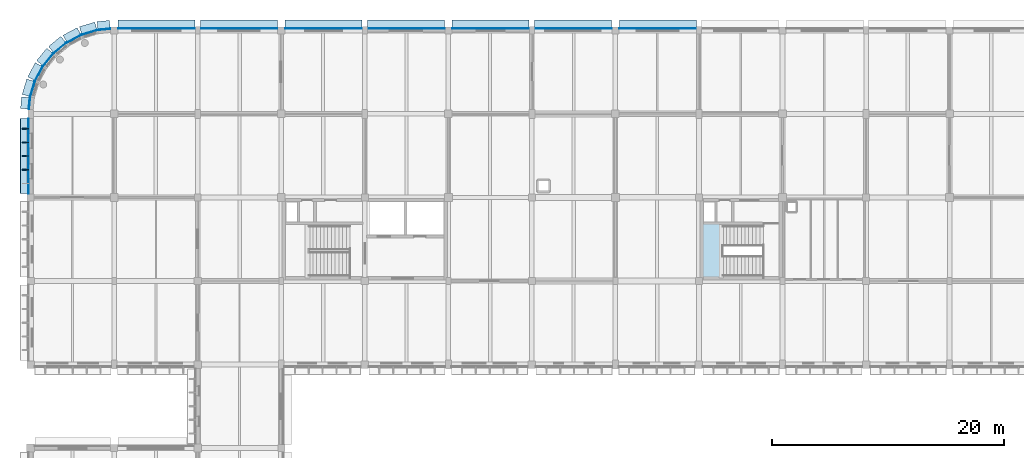
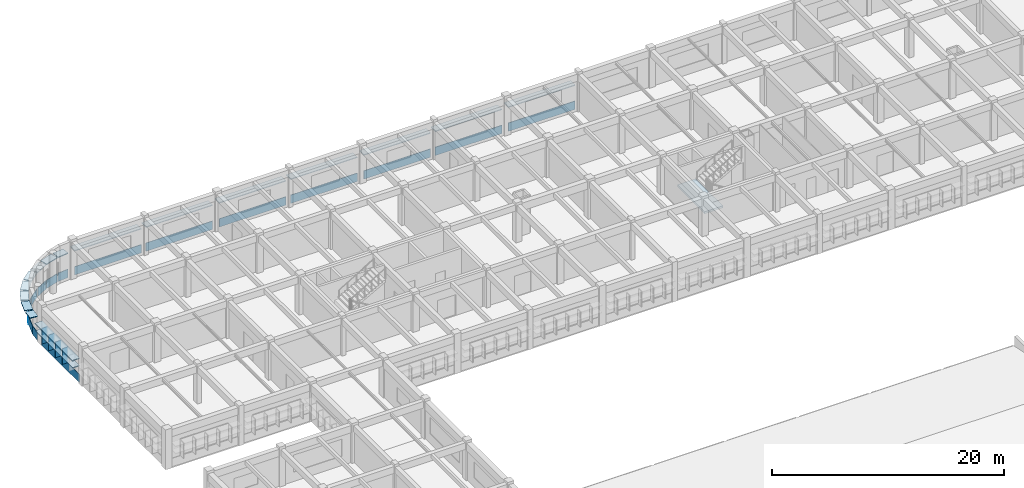
# One storey, part 74 of 103: 37 plates, 1 slab, 1 element without a shape of its own.
"""IFC4 building model written with IfcOpenShell, lengths in metres."""

from ifc_helpers import new_model, si_unit, direction, frame, origin, origin_2d, place, context, subcontext, project, spatial, polyline, rectangle, outline, extrude, material, layer, layer_set, type_object, element, aggregate, save


model = new_model("IFC4")

# Units and contexts
model_context = context("Model", 3, precision=1e-05, world=origin(), true_north=direction((0.0, 1.0)))
body_context = subcontext(model_context, "Body", "Model", "MODEL_VIEW")
ifc_project = project(units=[si_unit("LENGTHUNIT", "METRE"), si_unit("AREAUNIT", "SQUARE_METRE"), si_unit("VOLUMEUNIT", "CUBIC_METRE"), si_unit("PLANEANGLEUNIT", "RADIAN"), si_unit("MASSUNIT", "GRAM", prefix="KILO")], contexts=[model_context])

# Site, building, storey
site_placement = place(None, origin())
site = spatial("IfcSite", under=ifc_project, at=site_placement, CompositionType="ELEMENT")
building_placement = place(site_placement, origin())
building = spatial("IfcBuilding", under=site, at=building_placement, Name="Thalmaran Polytechnic", CompositionType="ELEMENT")
storey_placement = place(building_placement, frame((0.0, 0.0, 14.39990234375)))
storey = spatial("IfcBuildingStorey", under=building, at=storey_placement, Name="L03", CompositionType="ELEMENT", Elevation=14.39990234375)

# Plates
ifc_material_1 = material(Name="Anodised aluminium spandrel band", Category="aluminium")
ifc_layer_1 = layer(ifc_material_1, 0.054931640625, Name="Anodised aluminium spandrel band")
ifc_layer_set_1 = layer_set([ifc_layer_1], Name="Anodised aluminium spandrel band")
plate_type_1 = type_object("IfcPlateType", Name="PT-BD01", PredefinedType="SHEET", material=ifc_layer_set_1)
plate_1_placement = place(storey_placement, frame((-0.195068359375, 111.5625, 0.020263671875), z_axis=(0.0, 0.0, 1.0), x_axis=(0.0, 1.0, 0.0)))
element("IfcPlate", 1, at=plate_1_placement, inside=storey, type_object=plate_type_1, Name="Streamline Horizontal Spandrel Band L03-048", PredefinedType="SHEET", context=body_context, shape_type="SweptSolid", body=[
    extrude(rectangle(XDim=6.485107421875, YDim=0.054931640625, at=origin_2d()), origin(), (0.0, 0.0, 1.0), 0.8798828125),
])
plate_2_placement = place(storey_placement, frame((-0.1064453125, 116.108154296875, 0.020263671875), z_axis=(0.0, 0.0, 1.0), x_axis=(0.09801714033, 0.995184726672, 0.0)))
element("IfcPlate", 2, at=plate_2_placement, inside=storey, type_object=plate_type_1, Name="Streamline Horizontal Spandrel Band L03-049", PredefinedType="SHEET", context=body_context, shape_type="SweptSolid", body=[
    extrude(rectangle(XDim=0.996337890625, YDim=0.054931640625, at=origin_2d()), origin(), (0.0, 0.0, 1.0), 0.8798828125),
])
for number, where, z_axis, x_axis, name in (
    (3, (0.156494140625, 117.336669921875, 0.020263671875), (0.0, 0.0, 1.0), (0.290284677254, 0.956940335732, 0.0), "Streamline Horizontal Spandrel Band L03-050"),
    (4, (0.708740234375, 118.669677734375, 0.020263671875), (0.0, 0.0, 1.0), (0.471396736826, 0.881921264348, 0.0), "Streamline Horizontal Spandrel Band L03-051"),
    (5, (1.510498046875, 119.869384765625, 0.020263671875), (0.0, 0.0, 1.0), (0.634393284164, 0.773010453363, 0.0), "Streamline Horizontal Spandrel Band L03-052"),
    (6, (2.53076171875, 120.8896484375, 0.020263671875), (0.0, 0.0, 1.0), (0.773010453363, 0.634393284164, 0.0), "Streamline Horizontal Spandrel Band L03-053"),
    (7, (3.7421875, 121.669189453125, 0.020263671875), (0.0, 0.0, 1.0), (0.881921264348, 0.471396736826, 0.0), "Streamline Horizontal Spandrel Band L03-054"),
    (8, (5.070556640625, 122.219482421875, 0.020263671875), (0.0, 0.0, 1.0), (0.956940335732, 0.290284677254, 0.0), "Streamline Horizontal Spandrel Band L03-055"),
):
    element("IfcPlate", number, at=place(storey_placement, frame(where, z_axis=z_axis, x_axis=x_axis)), inside=storey, type_object=plate_type_1, Name=name, PredefinedType="SHEET", context=body_context, shape_type="SweptSolid", body=[
        extrude(rectangle(XDim=1.371337890625, YDim=0.054931640625, at=origin_2d()), origin(), (0.0, 0.0, 1.0), 0.8798828125),
    ])
plate_3_placement = place(storey_placement, frame((6.32666015625, 122.48486328125, 0.020263671875), z_axis=(0.0, 0.0, 1.0), x_axis=(0.995184726672, 0.09801714033, 0.0)))
element("IfcPlate", 9, at=plate_3_placement, inside=storey, type_object=plate_type_1, Name="Streamline Horizontal Spandrel Band L03-056", PredefinedType="SHEET", context=body_context, shape_type="SweptSolid", body=[
    extrude(rectangle(XDim=1.061279296875, YDim=0.054931640625, at=origin_2d()), origin(), (0.0, 0.0, 1.0), 0.8798828125),
])
for number, where, z_axis, x_axis, name in (
    (10, (10.85009765625, 122.570068359375, 0.020263671875), (0.0, 0.0, 1.0), (1.0, 0.0, 0.0), "Streamline Horizontal Spandrel Band L03-057"),
    (11, (17.949951171875, 122.570068359375, 0.020263671875), (0.0, 0.0, 1.0), (1.0, 0.0, 0.0), "Streamline Horizontal Spandrel Band L03-058"),
    (12, (25.25, 122.570068359375, 0.020263671875), (0.0, 0.0, 1.0), (1.0, 0.0, 0.0), "Streamline Horizontal Spandrel Band L03-059"),
    (13, (32.35009765625, 122.570068359375, 0.020263671875), (0.0, 0.0, 1.0), (1.0, 0.0, 0.0), "Streamline Horizontal Spandrel Band L03-060"),
    (14, (39.64990234375, 122.570068359375, 0.020263671875), (0.0, 0.0, 1.0), (1.0, 0.0, 0.0), "Streamline Horizontal Spandrel Band L03-061"),
    (15, (46.75, 122.570068359375, 0.020263671875), (0.0, 0.0, 1.0), (1.0, 0.0, 0.0), "Streamline Horizontal Spandrel Band L03-062"),
    (16, (54.050048828125, 122.570068359375, 0.020263671875), (0.0, 0.0, 1.0), (1.0, 0.0, 0.0), "Streamline Horizontal Spandrel Band L03-063"),
):
    element("IfcPlate", number, at=place(storey_placement, frame(where, z_axis=z_axis, x_axis=x_axis)), inside=storey, type_object=plate_type_1, Name=name, PredefinedType="SHEET", context=body_context, shape_type="SweptSolid", body=[
        extrude(rectangle(XDim=6.639892578125, YDim=0.054931640625, at=origin_2d()), origin(), (0.0, 0.0, 1.0), 0.8798828125),
    ])
ifc_material_2 = material(Name="Anodised aluminium sun-hood eyebrow", Category="aluminium")
ifc_layer_2 = layer(ifc_material_2, 0.0849609375, Name="Anodised aluminium sun-hood eyebrow")
ifc_layer_set_2 = layer_set([ifc_layer_2], Name="Anodised aluminium sun-hood eyebrow")
plate_type_2 = type_object("IfcPlateType", Name="PT-EB01", PredefinedType="SHEET", material=ifc_layer_set_2)
plate_4_placement = place(storey_placement, frame((-0.5400390625, 111.5625, 2.517578125), z_axis=(0.0, 0.0, 1.0), x_axis=(0.0, 1.0, 0.0)))
element("IfcPlate", 17, at=plate_4_placement, inside=storey, type_object=plate_type_2, Name="Streamline Sun-Hood Eyebrow L03-048", PredefinedType="SHEET", context=body_context, shape_type="SweptSolid", body=[
    extrude(rectangle(XDim=6.485107421875, YDim=0.760009765625, at=origin_2d()), origin(), (0.0, 0.0, 1.0), 0.0849609375),
])
plate_5_placement = place(storey_placement, frame((-0.52001953125, 111.5625, 1.74267578125), z_axis=(0.0, 0.0, 1.0), x_axis=(0.0, 1.0, 0.0)))
element("IfcPlate", 18, at=plate_5_placement, inside=storey, type_object=plate_type_2, Name="Abu Dhabi Horizontal Solar Louvre L03-048", PredefinedType="SHEET", context=body_context, shape_type="SweptSolid", body=[
    extrude(rectangle(XDim=6.445068359375, YDim=0.719970703125, at=origin_2d()), origin(), (0.0, 0.0, 1.0), 0.074951171875),
])
plate_6_placement = place(storey_placement, frame((-0.449951171875, 116.141845703125, 2.517578125), z_axis=(0.0, 0.0, 1.0), x_axis=(0.09801714033, 0.995184726672, 0.0)))
element("IfcPlate", 19, at=plate_6_placement, inside=storey, type_object=plate_type_2, Name="Streamline Sun-Hood Eyebrow L03-049", PredefinedType="SHEET", context=body_context, shape_type="SweptSolid", body=[
    extrude(rectangle(XDim=0.996337890625, YDim=0.760009765625, at=origin_2d()), origin(), (0.0, 0.0, 1.0), 0.0849609375),
])
for number, where, z_axis, x_axis, name in (
    (20, (-0.173583984375, 117.436767578125, 2.517578125), (0.0, 0.0, 1.0), (0.290284677254, 0.956940335732, 0.0), "Streamline Sun-Hood Eyebrow L03-050"),
    (21, (0.404541015625, 118.832275390625, 2.517578125), (0.0, 0.0, 1.0), (0.471396736826, 0.881921264348, 0.0), "Streamline Sun-Hood Eyebrow L03-051"),
    (22, (1.24365234375, 120.088134765625, 2.517578125), (0.0, 0.0, 1.0), (0.634393284164, 0.773010453363, 0.0), "Streamline Sun-Hood Eyebrow L03-052"),
    (23, (2.311767578125, 121.15625, 2.517578125), (0.0, 0.0, 1.0), (0.773010453363, 0.634393284164, 0.0), "Streamline Sun-Hood Eyebrow L03-053"),
    (24, (3.57958984375, 121.973388671875, 2.517578125), (0.0, 0.0, 1.0), (0.881921264348, 0.471396736826, 0.0), "Streamline Sun-Hood Eyebrow L03-054"),
    (25, (4.970458984375, 122.549560546875, 2.517578125), (0.0, 0.0, 1.0), (0.956940335732, 0.290284677254, 0.0), "Streamline Sun-Hood Eyebrow L03-055"),
):
    element("IfcPlate", number, at=place(storey_placement, frame(where, z_axis=z_axis, x_axis=x_axis)), inside=storey, type_object=plate_type_2, Name=name, PredefinedType="SHEET", context=body_context, shape_type="SweptSolid", body=[
        extrude(rectangle(XDim=1.371337890625, YDim=0.760009765625, at=origin_2d()), origin(), (0.0, 0.0, 1.0), 0.0849609375),
    ])
plate_7_placement = place(storey_placement, frame((6.29296875, 122.828125, 2.517578125), z_axis=(0.0, 0.0, 1.0), x_axis=(0.995184726672, 0.09801714033, 0.0)))
element("IfcPlate", 26, at=plate_7_placement, inside=storey, type_object=plate_type_2, Name="Streamline Sun-Hood Eyebrow L03-056", PredefinedType="SHEET", context=body_context, shape_type="SweptSolid", body=[
    extrude(rectangle(XDim=1.061279296875, YDim=0.760009765625, at=origin_2d()), origin(), (0.0, 0.0, 1.0), 0.0849609375),
])
for number, where, z_axis, x_axis, name in (
    (27, (10.85009765625, 122.9150390625, 2.517578125), (0.0, 0.0, 1.0), (1.0, 0.0, 0.0), "Streamline Sun-Hood Eyebrow L03-057"),
    (28, (17.949951171875, 122.9150390625, 2.517578125), (0.0, 0.0, 1.0), (1.0, 0.0, 0.0), "Streamline Sun-Hood Eyebrow L03-058"),
    (29, (25.25, 122.9150390625, 2.517578125), (0.0, 0.0, 1.0), (1.0, 0.0, 0.0), "Streamline Sun-Hood Eyebrow L03-059"),
    (30, (32.35009765625, 122.9150390625, 2.517578125), (0.0, 0.0, 1.0), (1.0, 0.0, 0.0), "Streamline Sun-Hood Eyebrow L03-060"),
    (31, (39.64990234375, 122.9150390625, 2.517578125), (0.0, 0.0, 1.0), (1.0, 0.0, 0.0), "Streamline Sun-Hood Eyebrow L03-061"),
    (32, (46.75, 122.9150390625, 2.517578125), (0.0, 0.0, 1.0), (1.0, 0.0, 0.0), "Streamline Sun-Hood Eyebrow L03-062"),
    (33, (54.050048828125, 122.9150390625, 2.517578125), (0.0, 0.0, 1.0), (1.0, 0.0, 0.0), "Streamline Sun-Hood Eyebrow L03-063"),
):
    element("IfcPlate", number, at=place(storey_placement, frame(where, z_axis=z_axis, x_axis=x_axis)), inside=storey, type_object=plate_type_2, Name=name, PredefinedType="SHEET", context=body_context, shape_type="SweptSolid", body=[
        extrude(rectangle(XDim=6.639892578125, YDim=0.760009765625, at=origin_2d()), origin(), (0.0, 0.0, 1.0), 0.0849609375),
    ])
ifc_material_3 = material(Name="Anodised bronze brise-soleil fin")
ifc_layer_3 = layer(ifc_material_3, 0.06494140625, Name="Anodised bronze brise-soleil fin")
ifc_layer_set_3 = layer_set([ifc_layer_3], Name="Anodised bronze brise-soleil fin")
plate_type_3 = type_object("IfcPlateType", Name="PT-FN01", PredefinedType="SHEET", material=ifc_layer_set_3)
for number, where, z_axis, x_axis, name in (
    (34, (-0.4599609375, 110.387939453125, 0.895263671875), (0.0, 0.0, 1.0), (0.0, 1.0, 0.0), "Abu Dhabi Solar Brise-Soleil Fin L03-048-2"),
    (35, (-0.4599609375, 111.5625, 0.895263671875), (0.0, 0.0, 1.0), (0.0, 1.0, 0.0), "Abu Dhabi Solar Brise-Soleil Fin L03-048-3"),
    (36, (-0.4599609375, 112.737060546875, 0.895263671875), (0.0, 0.0, 1.0), (0.0, 1.0, 0.0), "Abu Dhabi Solar Brise-Soleil Fin L03-048-4"),
    (37, (-0.4599609375, 113.91162109375, 0.895263671875), (0.0, 0.0, 1.0), (0.0, 1.0, 0.0), "Abu Dhabi Solar Brise-Soleil Fin L03-048-5"),
):
    element("IfcPlate", number, at=place(storey_placement, frame(where, z_axis=z_axis, x_axis=x_axis)), inside=storey, type_object=plate_type_3, Name=name, PredefinedType="SHEET", context=body_context, shape_type="SweptSolid", body=[
        extrude(rectangle(XDim=0.06494140625, YDim=0.56005859375, at=origin_2d()), origin(), (0.0, 0.0, 1.0), 1.64990234375),
    ])

# Stair, slab
ifc_material_4 = material(Name="Concrete C40/50", Category="concrete")
stair_type = type_object("IfcStairType", Name="ST-HT42", PredefinedType="HALF_TURN_STAIR", material=ifc_material_4)
stair_placement = place(storey_placement, origin())
stair = element("IfcStair", 38, at=stair_placement, inside=storey, type_object=stair_type, Name="Exit Stair ST6 L03", PredefinedType="HALF_TURN_STAIR")
ifc_layer_4 = layer(ifc_material_4, 0.2099609375, Name="Concrete C40/50")
ifc_layer_set_4 = layer_set([ifc_layer_4], Name="Concrete C40/50")
slab_type = type_object("IfcSlabType", Name="SL-LD01", PredefinedType="LANDING", material=ifc_layer_set_4)
slab_placement = place(storey_placement, frame((0.0, 0.0, 1.89013671875)))
slab = element("IfcSlab", 39, at=slab_placement, type_object=slab_type, Name="ST6 L03 Half Landing", PredefinedType="LANDING", context=body_context, shape_type="SweptSolid", body=[
    extrude(outline(polyline([(57.840087890625, 101.0400390625), (59.659912109375, 101.0400390625), (59.659912109375, 105.739990234375), (57.840087890625, 105.739990234375), (57.840087890625, 101.0400390625)])), origin(), (0.0, 0.0, 1.0), 0.2099609375),
])
aggregate(stair, [slab])

save(model, "model.ifc")
